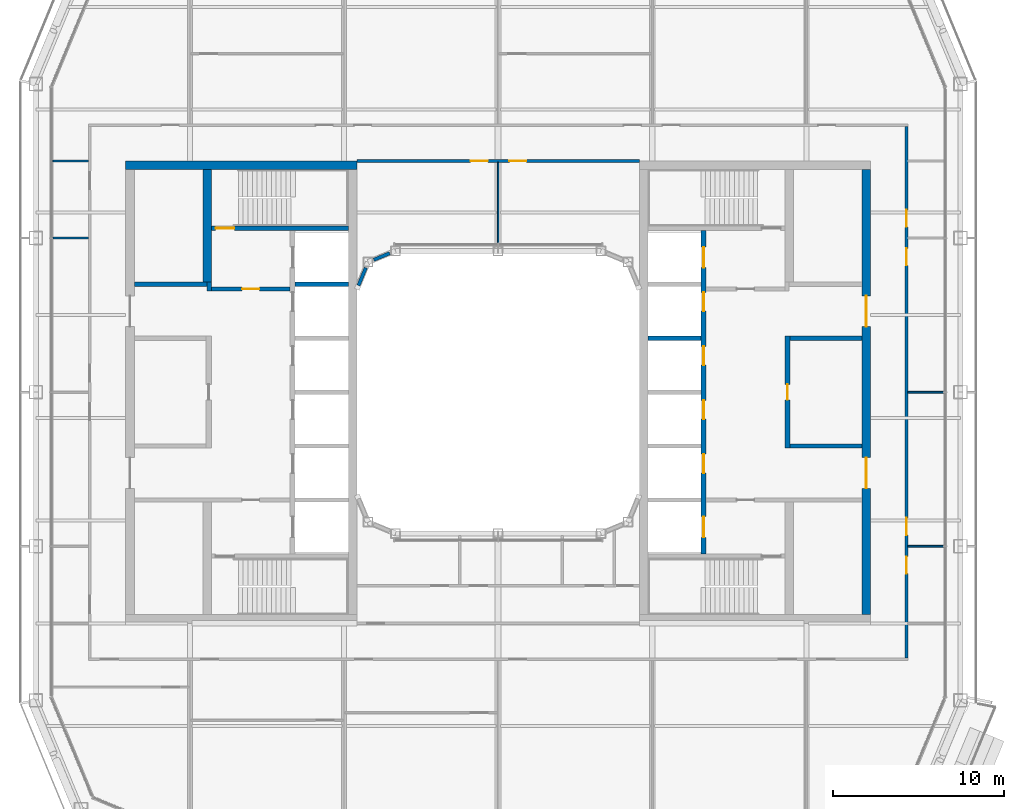
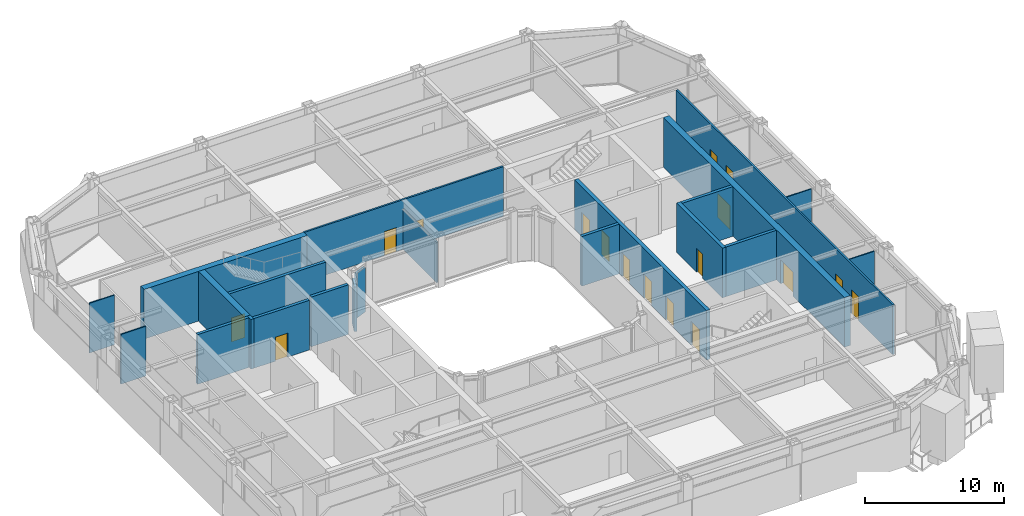
# One storey, part 14 of 23: 22 walls, 17 doors, 17 openings.
"""IFC4 building model written with IfcOpenShell, lengths in metres."""

import ifcopenshell
import ifcopenshell.guid

model = None  # the IFC model being written
_history = None  # IfcOwnerHistory: only IFC2X3 demands one
_inside = {}  # id of a spatial element -> (the spatial element, [elements in it])
_under = {}  # id of a project, library or spatial element -> (it, [spatial elements below it])
_declared = {}  # id of a project -> (the project, [libraries it declares])
_typed = {}  # id of a type object -> (the type object, [elements of that type])
_made_of = {}  # id of a material, layer set ... -> (it, [elements and type objects made of it])


def new_model(schema):
    """Start an empty IFC model of exactly this schema.

    Asked for "IFC4X3", IfcOpenShell would pick the latest addendum, in which some entities
    have other attributes; the version numbers below select the first issue.
    IFC2X3 requires an IfcOwnerHistory on every rooted entity: one is made here for all.
    """
    global model, _history
    if schema == "IFC4X3":
        model = ifcopenshell.file(schema_version=(4, 3, 0, 0))
    else:
        model = ifcopenshell.file(schema=schema)
    _inside.clear()
    _under.clear()
    _declared.clear()
    _typed.clear()
    _made_of.clear()
    _history = None
    if model.schema == "IFC2X3":
        org = make("IfcOrganization", Name="unknown")
        user = make(
            "IfcPersonAndOrganization",
            ThePerson=make("IfcPerson", FamilyName="unknown"),
            TheOrganization=org,
        )
        app = make(
            "IfcApplication",
            ApplicationDeveloper=org,
            Version="unknown",
            ApplicationFullName="unknown",
            ApplicationIdentifier="unknown",
        )
        _history = make(
            "IfcOwnerHistory",
            OwningUser=user,
            OwningApplication=app,
            ChangeAction="ADDED",
            CreationDate=0,
        )
    return model


def make(cls, **values):
    """One entity of the class cls with the attributes given. An attribute that is None is left unset."""
    return model.create_entity(
        cls, **{name: value for name, value in values.items() if value is not None}
    )


def rooted(cls, **values):
    """An entity with a GlobalId (a new one), such as an element, a storey or a relation."""
    return make(cls, GlobalId=ifcopenshell.guid.new(), OwnerHistory=_history, **values)


def si_unit(unit_type, name, prefix=None):
    """IfcSIUnit, for example si_unit("LENGTHUNIT", "METRE", prefix="MILLI")."""
    return make("IfcSIUnit", UnitType=unit_type, Prefix=prefix, Name=name)


def assignment(units):
    """IfcUnitAssignment: the units of a project."""
    return None if units is None else make("IfcUnitAssignment", Units=units)


def point(xyz):
    """IfcCartesianPoint."""
    return None if xyz is None else make("IfcCartesianPoint", Coordinates=xyz)


def direction(xyz):
    """IfcDirection."""
    return None if xyz is None else make("IfcDirection", DirectionRatios=xyz)


def frame(location, z_axis=None, x_axis=None):
    """IfcAxis2Placement3D, a coordinate frame: its origin and axes. An axis left out is left unset."""
    return make(
        "IfcAxis2Placement3D",
        Location=point(location),
        Axis=direction(z_axis),
        RefDirection=direction(x_axis),
    )


def frame_2d(location, x_axis=None):
    """IfcAxis2Placement2D, a coordinate frame in the plane: its origin and x axis."""
    return make(
        "IfcAxis2Placement2D", Location=point(location), RefDirection=direction(x_axis)
    )


def origin():
    """The frame at (0, 0, 0) with its axes left unset."""
    return frame((0.0, 0.0, 0.0))


def place(relative_to, where):
    """IfcLocalPlacement: puts the frame where relative to a parent placement (None: the world)."""
    return make(
        "IfcLocalPlacement", PlacementRelTo=relative_to, RelativePlacement=where
    )


def context(
    kind, dimensions, precision=None, world=None, true_north=None, identifier=None
):
    """IfcGeometricRepresentationContext, for example the 3D "Model" context."""
    return make(
        "IfcGeometricRepresentationContext",
        ContextIdentifier=identifier,
        ContextType=kind,
        CoordinateSpaceDimension=dimensions,
        Precision=precision,
        WorldCoordinateSystem=world,
        TrueNorth=true_north,
    )


def subcontext(parent, identifier, kind, view, scale=None):
    """IfcGeometricRepresentationSubContext, for example "Body" below "Model"."""
    return make(
        "IfcGeometricRepresentationSubContext",
        ContextIdentifier=identifier,
        ContextType=kind,
        ParentContext=parent,
        TargetScale=scale,
        TargetView=view,
    )


def project(units=None, contexts=None):
    """IfcProject with its units and contexts."""
    return rooted(
        "IfcProject",
        Name="project",
        RepresentationContexts=contexts,
        UnitsInContext=assignment(units),
    )


def spatial(cls, under=None, at=None, **own):
    """A site, building, storey or space (cls), placed at a placement, below another one or the project."""
    s = rooted(cls, ObjectPlacement=at, **own)
    if under is not None:
        _under.setdefault(under.id(), (under, []))[1].append(s)
    return s


def profile(cls, at=None, kind="AREA", **sizes):
    """A parametric profile (cls). Its sizes go by their IFC names, for example OverallWidth=200.0."""
    return make(cls, ProfileType=kind, Position=at, **sizes)


def rectangle(**sizes):
    """IfcRectangleProfileDef."""
    return profile("IfcRectangleProfileDef", **sizes)


def extrude(swept, where, along, depth):
    """IfcExtrudedAreaSolid: the profile swept, set in the frame where, extruded along a direction by depth."""
    return make(
        "IfcExtrudedAreaSolid",
        SweptArea=swept,
        Position=where,
        ExtrudedDirection=direction(along),
        Depth=depth,
    )


def shape(context_of_items, identifier, shape_type, items):
    """IfcShapeRepresentation: the items that make up one representation, for example the "Body"."""
    return make(
        "IfcShapeRepresentation",
        ContextOfItems=context_of_items,
        RepresentationIdentifier=identifier,
        RepresentationType=shape_type,
        Items=items,
    )


def material(Name=None, Category=None):
    """IfcMaterial."""
    return make("IfcMaterial", Name=Name, Category=Category)


def layer(
    of_material, thickness, ventilated=None, Name=None, Category=None, Priority=None
):
    """IfcMaterialLayer: one layer of a wall or slab, of a material (None: an air gap)."""
    return make(
        "IfcMaterialLayer",
        Material=of_material,
        LayerThickness=thickness,
        IsVentilated=ventilated,
        Name=Name,
        Category=Category,
        Priority=Priority,
    )


def layer_set(layers, Name=None):
    """IfcMaterialLayerSet."""
    return make("IfcMaterialLayerSet", MaterialLayers=layers, LayerSetName=Name)


def made_of(thing, what):
    """Note that an element or type object is made of a material, layer set ...; save() writes the relation."""
    if what is not None:
        _made_of.setdefault(what.id(), (what, []))[1].append(thing)
    return thing


def type_object(cls, material=None, **own):
    """A type object (cls), such as IfcWallType, which elements share."""
    return made_of(rooted(cls, **own), material)


def element(
    cls,
    number,
    at=None,
    inside=None,
    cuts=None,
    type_object=None,
    material=None,
    context=None,
    identifier="Body",
    shape_type=None,
    held_by="IfcProductDefinitionShape",
    body=None,
    shapes=None,
    **own,
):
    """One element of the class cls, such as IfcWall. Its Tag is "e" and its number.

    at: its placement. inside: the storey or other place that contains it. cuts: it is an
    opening in that element (IfcRelVoidsElement). A single representation is given by context,
    identifier, shape_type and body (its items); several are given by shapes. held_by: the class
    of the entity that holds the representations. save() writes the other relations.
    """
    e = rooted(cls, Tag="e%d" % number, ObjectPlacement=at, **own)
    if body is not None:
        shapes = [shape(context, identifier, shape_type, body)]
    if shapes is not None:
        e.Representation = make(held_by, Representations=shapes)
    if inside is not None:
        _inside.setdefault(inside.id(), (inside, []))[1].append(e)
    if cuts is not None:
        rooted(
            "IfcRelVoidsElement", RelatingBuildingElement=cuts, RelatedOpeningElement=e
        )
    if type_object is not None:
        _typed.setdefault(type_object.id(), (type_object, []))[1].append(e)
    return made_of(e, material)


def fill(opening, filler):
    """IfcRelFillsElement: the door or window that sits in an opening."""
    return rooted(
        "IfcRelFillsElement",
        RelatingOpeningElement=opening,
        RelatedBuildingElement=filler,
    )


def aggregate(whole, parts):
    """IfcRelAggregates: a whole, such as a stair, and the parts it consists of."""
    return rooted("IfcRelAggregates", RelatingObject=whole, RelatedObjects=parts)


def save(model, path):
    """Write the relations noted so far, then the file.

    IfcRelAggregates (storeys below a building ...), IfcRelContainedInSpatialStructure (elements
    in a storey), IfcRelDefinesByType, IfcRelAssociatesMaterial and IfcRelDeclares: one each for
    every whole, place, type object, material and project.
    """
    for whole, parts in _under.values():
        aggregate(whole, parts)
    for where, things in _inside.values():
        rooted(
            "IfcRelContainedInSpatialStructure",
            RelatedElements=things,
            RelatingStructure=where,
        )
    for kind, things in _typed.values():
        rooted("IfcRelDefinesByType", RelatedObjects=things, RelatingType=kind)
    for what, things in _made_of.values():
        rooted("IfcRelAssociatesMaterial", RelatedObjects=things, RelatingMaterial=what)
    for by, libraries in _declared.values():
        rooted("IfcRelDeclares", RelatingContext=by, RelatedDefinitions=libraries)
    model.write(path)


model = new_model("IFC4")

# Units and contexts
model_context = context("Model", 3, precision=1e-05, world=origin(), true_north=direction((0.0, 1.0)))
body_context = subcontext(model_context, "Body", "Model", "MODEL_VIEW")
ifc_project = project(units=[si_unit("LENGTHUNIT", "METRE"), si_unit("AREAUNIT", "SQUARE_METRE"), si_unit("VOLUMEUNIT", "CUBIC_METRE"), si_unit("PLANEANGLEUNIT", "RADIAN"), si_unit("MASSUNIT", "GRAM", prefix="KILO")], contexts=[model_context])

# Site, building, storey
site_placement = place(None, origin())
site = spatial("IfcSite", under=ifc_project, at=site_placement, CompositionType="ELEMENT")
building_placement = place(site_placement, origin())
building = spatial("IfcBuilding", under=site, at=building_placement, Name="Siwar Civic Tower", CompositionType="ELEMENT")
storey_placement = place(building_placement, frame((0.0, 0.0, 237.699951171875)))
storey = spatial("IfcBuildingStorey", under=building, at=storey_placement, Name="L51", CompositionType="ELEMENT", Elevation=237.699951171875)

# Wall, opening, door
ifc_material_1 = material(Name="Concrete C60/75", Category="concrete")
ifc_layer_1 = layer(ifc_material_1, 0.25)
ifc_layer_set_1 = layer_set([ifc_layer_1], Name="Concrete C60/75")
wall_type_1 = type_object("IfcWallType", Name="CORE-WALL-RC250", PredefinedType="SHEAR", material=ifc_layer_set_1)
wall_1_placement = place(storey_placement, frame((-12.14990234375, 6.02490234375, 0.0), z_axis=(0.0, 0.0, 1.0), x_axis=(-1.0, 0.0, 0.0)))
wall_1 = element("IfcWall", 1, at=wall_1_placement, inside=storey, type_object=wall_type_1, Name="Core wall W", PredefinedType="SHEAR", context=body_context, shape_type="SweptSolid", body=[
    extrude(rectangle(XDim=4.60009765625, YDim=0.25, at=frame_2d((2.300048828125, 0.0))), origin(), (0.0, 0.0, 1.0), 4.35009765625),
])
opening_1_placement = place(wall_1_placement, frame((1.800048828125, 0.0, 0.0)))
opening_1 = element("IfcOpeningElement", 2, at=opening_1_placement, cuts=wall_1, Name="Opening L51-CW01", PredefinedType="OPENING", context=body_context, shape_type="SweptSolid", body=[
    extrude(rectangle(XDim=1.0, YDim=2.10009765625, at=frame_2d((0.5, 1.050048828125))), frame((0.0, 0.135009765625, 0.0), z_axis=(0.0, -1.0, 0.0), x_axis=(1.0, 0.0, 0.0)), (0.0, 0.0, 1.0), 0.27001953125),
])
ifc_material_2 = material(Name="Steel door leaf", Category="steel")
door_type_1 = type_object("IfcDoorType", Name="CORE-DOOR-FD30S", OperationType="SINGLE_SWING_LEFT", PredefinedType="DOOR", material=ifc_material_2)
door_1_placement = place(opening_1_placement, origin())
door_1 = element("IfcDoor", 3, at=door_1_placement, inside=storey, type_object=door_type_1, Name="Firefighting lobby door L51-CW01", OperationType="SINGLE_SWING_LEFT", OverallHeight=2.10009765625, OverallWidth=1.0, PredefinedType="DOOR", context=body_context, shape_type="SweptSolid", body=[
    extrude(rectangle(XDim=1.0, YDim=2.10009765625, at=frame_2d((0.5, 1.050048828125))), frame((0.0, 0.02490234375, 0.0), z_axis=(0.0, -1.0, 0.0), x_axis=(1.0, 0.0, 0.0)), (0.0, 0.0, 1.0), 0.050048828125),
])
fill(opening_1, door_1)

# Walls
wall_2_placement = place(storey_placement, frame((-16.875, 5.89990234375, 0.0), z_axis=(0.0, 0.0, 1.0), x_axis=(0.0, 1.0, 0.0)))
element("IfcWall", 4, at=wall_2_placement, inside=storey, type_object=wall_type_1, Name="Core wall W", PredefinedType="SHEAR", context=body_context, shape_type="SweptSolid", body=[
    extrude(rectangle(XDim=0.525146484375, YDim=0.25, at=frame_2d((0.2626953125, 0.0))), origin(), (0.0, 0.0, 1.0), 4.35009765625),
])
wall_3_placement = place(storey_placement, frame((-17.0, 6.300048828125, 0.0), z_axis=(0.0, 0.0, 1.0), x_axis=(-1.0, 0.0, 0.0)))
element("IfcWall", 5, at=wall_3_placement, inside=storey, type_object=wall_type_1, Name="Core wall W", PredefinedType="SHEAR", context=body_context, shape_type="SweptSolid", body=[
    extrude(rectangle(XDim=4.25, YDim=0.25, at=frame_2d((2.125, 0.0))), origin(), (0.0, 0.0, 1.0), 4.35009765625),
])
wall_4_placement = place(storey_placement, frame((-8.75, 6.300048828125, 0.0), z_axis=(0.0, 0.0, 1.0), x_axis=(-1.0, 0.0, 0.0)))
element("IfcWall", 6, at=wall_4_placement, inside=storey, type_object=wall_type_1, Name="Core wall W", PredefinedType="SHEAR", context=body_context, shape_type="SweptSolid", body=[
    extrude(rectangle(XDim=3.10009765625, YDim=0.25, at=frame_2d((1.550048828125, 0.0))), origin(), (0.0, 0.0, 1.0), 4.35009765625),
])

# Wall, opening, door
wall_5_placement = place(storey_placement, frame((-8.75, 9.574951171875, 0.0), z_axis=(0.0, 0.0, 1.0), x_axis=(-1.0, 0.0, 0.0)))
wall_5 = element("IfcWall", 7, at=wall_5_placement, inside=storey, type_object=wall_type_1, Name="Core wall W", PredefinedType="SHEAR", context=body_context, shape_type="SweptSolid", body=[
    extrude(rectangle(XDim=8.0, YDim=0.25, at=frame_2d((4.0, 0.0))), origin(), (0.0, 0.0, 1.0), 4.35009765625),
])
opening_2_placement = place(wall_5_placement, frame((6.64990234375, 0.0, 0.0)))
opening_2 = element("IfcOpeningElement", 8, at=opening_2_placement, cuts=wall_5, Name="Opening L51-CW03", PredefinedType="OPENING", context=body_context, shape_type="SweptSolid", body=[
    extrude(rectangle(XDim=1.10009765625, YDim=2.10009765625, at=frame_2d((0.550048828125, 1.050048828125))), frame((0.0, 0.135009765625, 0.0), z_axis=(0.0, -1.0, 0.0), x_axis=(1.0, 0.0, 0.0)), (0.0, 0.0, 1.0), 0.27001953125),
])
ifc_material_3 = material(Name="Steel door leaf", Category="steel")
door_type_2 = type_object("IfcDoorType", Name="CORE-DOOR-FD60S", OperationType="SINGLE_SWING_LEFT", PredefinedType="DOOR", material=ifc_material_3)
door_2_placement = place(opening_2_placement, origin())
door_2 = element("IfcDoor", 9, at=door_2_placement, inside=storey, type_object=door_type_2, Name="Stair door L51-CW03", OperationType="SINGLE_SWING_RIGHT", OverallHeight=2.10009765625, OverallWidth=1.10009765625, PredefinedType="DOOR", context=body_context, shape_type="SweptSolid", body=[
    extrude(rectangle(XDim=1.10009765625, YDim=2.10009765625, at=frame_2d((0.550048828125, 1.050048828125))), frame((0.0, 0.02490234375, 0.0), z_axis=(0.0, -1.0, 0.0), x_axis=(1.0, 0.0, 0.0)), (0.0, 0.0, 1.0), 0.050048828125),
])
fill(opening_2, door_2)

# Walls
for number, where, z_axis, x_axis, name in (
    (10, (17.050048828125, 3.14990234375, 0.0), (0.0, 0.0, 1.0), (1.0, 0.0, 0.0), "Core wall E"),
    (11, (17.050048828125, -3.14990234375, 0.0), (0.0, 0.0, 1.0), (1.0, 0.0, 0.0), "Core wall E"),
):
    element("IfcWall", number, at=place(storey_placement, frame(where, z_axis=z_axis, x_axis=x_axis)), inside=storey, type_object=wall_type_1, Name=name, PredefinedType="SHEAR", context=body_context, shape_type="SweptSolid", body=[
        extrude(rectangle(XDim=4.199951171875, YDim=0.25, at=frame_2d((2.10009765625, 0.0))), origin(), (0.0, 0.0, 1.0), 4.35009765625),
    ])
wall_6_placement = place(storey_placement, frame((8.75, 3.14990234375, 0.0), z_axis=(0.0, 0.0, 1.0), x_axis=(1.0, 0.0, 0.0)))
element("IfcWall", 12, at=wall_6_placement, inside=storey, type_object=wall_type_1, Name="Core wall E", PredefinedType="SHEAR", context=body_context, shape_type="SweptSolid", body=[
    extrude(rectangle(XDim=3.10009765625, YDim=0.25, at=frame_2d((1.550048828125, 0.0))), origin(), (0.0, 0.0, 1.0), 4.35009765625),
])

# Wall, openings, doors
ifc_material_4 = material(Name="Concrete C60/75", Category="concrete")
ifc_layer_2 = layer(ifc_material_4, 0.300048828125)
ifc_layer_set_2 = layer_set([ifc_layer_2], Name="Concrete C60/75")
wall_type_2 = type_object("IfcWallType", Name="CORE-WALL-RC300", PredefinedType="SHEAR", material=ifc_layer_set_2)
wall_7_placement = place(storey_placement, frame((12.0, -9.449951171875, 0.0), z_axis=(0.0, 0.0, 1.0), x_axis=(0.0, 1.0, 0.0)))
wall_7 = element("IfcWall", 13, at=wall_7_placement, inside=storey, type_object=wall_type_2, Name="Core wall E", PredefinedType="SHEAR", context=body_context, shape_type="SweptSolid", body=[
    extrude(rectangle(XDim=18.89990234375, YDim=0.300048828125, at=frame_2d((9.449951171875, 0.0))), origin(), (0.0, 0.0, 1.0), 4.35009765625),
])
opening_3_placement = place(wall_7_placement, frame((4.72509765625, 0.0, 0.0)))
opening_3 = element("IfcOpeningElement", 14, at=opening_3_placement, cuts=wall_7, Name="Opening L51-CE07", PredefinedType="OPENING", context=body_context, shape_type="SweptSolid", body=[
    extrude(rectangle(XDim=1.10009765625, YDim=2.10009765625, at=frame_2d((0.550048828125, 1.050048828125))), frame((0.0, 0.16015625, 0.0), z_axis=(0.0, -1.0, 0.0), x_axis=(1.0, 0.0, 0.0)), (0.0, 0.0, 1.0), 0.320068359375),
])
opening_4_placement = place(wall_7_placement, frame((7.875, 0.0, 0.0)))
opening_4 = element("IfcOpeningElement", 15, at=opening_4_placement, cuts=wall_7, Name="Opening L51-CE08", PredefinedType="OPENING", context=body_context, shape_type="SweptSolid", body=[
    extrude(rectangle(XDim=1.10009765625, YDim=2.10009765625, at=frame_2d((0.550048828125, 1.050048828125))), frame((0.0, 0.16015625, 0.0), z_axis=(0.0, -1.0, 0.0), x_axis=(1.0, 0.0, 0.0)), (0.0, 0.0, 1.0), 0.320068359375),
])
opening_5_placement = place(wall_7_placement, frame((11.02490234375, 0.0, 0.0)))
opening_5 = element("IfcOpeningElement", 16, at=opening_5_placement, cuts=wall_7, Name="Opening L51-CE09", PredefinedType="OPENING", context=body_context, shape_type="SweptSolid", body=[
    extrude(rectangle(XDim=1.10009765625, YDim=2.10009765625, at=frame_2d((0.550048828125, 1.050048828125))), frame((0.0, 0.16015625, 0.0), z_axis=(0.0, -1.0, 0.0), x_axis=(1.0, 0.0, 0.0)), (0.0, 0.0, 1.0), 0.320068359375),
])
opening_6_placement = place(wall_7_placement, frame((14.175048828125, 0.0, 0.0)))
opening_6 = element("IfcOpeningElement", 17, at=opening_6_placement, cuts=wall_7, Name="Opening L51-CE10", PredefinedType="OPENING", context=body_context, shape_type="SweptSolid", body=[
    extrude(rectangle(XDim=1.10009765625, YDim=2.10009765625, at=frame_2d((0.550048828125, 1.050048828125))), frame((0.0, 0.16015625, 0.0), z_axis=(0.0, -1.0, 0.0), x_axis=(1.0, 0.0, 0.0)), (0.0, 0.0, 1.0), 0.320068359375),
])
opening_7_placement = place(wall_7_placement, frame((16.72509765625, 0.0, 0.0)))
opening_7 = element("IfcOpeningElement", 18, at=opening_7_placement, cuts=wall_7, Name="Opening L51-CE11", PredefinedType="OPENING", context=body_context, shape_type="SweptSolid", body=[
    extrude(rectangle(XDim=1.199951171875, YDim=2.10009765625, at=frame_2d((0.60009765625, 1.050048828125))), frame((0.0, 0.16015625, 0.0), z_axis=(0.0, -1.0, 0.0), x_axis=(1.0, 0.0, 0.0)), (0.0, 0.0, 1.0), 0.320068359375),
])
opening_8_placement = place(wall_7_placement, frame((0.97509765625, 0.0, 0.0)))
opening_8 = element("IfcOpeningElement", 19, at=opening_8_placement, cuts=wall_7, Name="Opening L51-CE12", PredefinedType="OPENING", context=body_context, shape_type="SweptSolid", body=[
    extrude(rectangle(XDim=1.199951171875, YDim=2.10009765625, at=frame_2d((0.60009765625, 1.050048828125))), frame((0.0, 0.16015625, 0.0), z_axis=(0.0, -1.0, 0.0), x_axis=(1.0, 0.0, 0.0)), (0.0, 0.0, 1.0), 0.320068359375),
])
ifc_material_5 = material(Name="Steel door leaf", Category="steel")
door_type_3 = type_object("IfcDoorType", Name="CORE-DOOR-LD", OperationType="DOUBLE_DOOR_SLIDING", PredefinedType="DOOR", material=ifc_material_5)
door_3_placement = place(opening_3_placement, origin())
door_3 = element("IfcDoor", 20, at=door_3_placement, inside=storey, type_object=door_type_3, Name="Landing door HR5 L51-CE07", OperationType="DOUBLE_DOOR_SLIDING", OverallHeight=2.10009765625, OverallWidth=1.10009765625, PredefinedType="DOOR", context=body_context, shape_type="SweptSolid", body=[
    extrude(rectangle(XDim=1.10009765625, YDim=2.10009765625, at=frame_2d((0.550048828125, 1.050048828125))), frame((0.0, 0.02490234375, 0.0), z_axis=(0.0, -1.0, 0.0), x_axis=(1.0, 0.0, 0.0)), (0.0, 0.0, 1.0), 0.050048828125),
])
fill(opening_3, door_3)
door_4_placement = place(opening_4_placement, origin())
door_4 = element("IfcDoor", 21, at=door_4_placement, inside=storey, type_object=door_type_3, Name="Landing door HR6 L51-CE08", OperationType="DOUBLE_DOOR_SLIDING", OverallHeight=2.10009765625, OverallWidth=1.10009765625, PredefinedType="DOOR", context=body_context, shape_type="SweptSolid", body=[
    extrude(rectangle(XDim=1.10009765625, YDim=2.10009765625, at=frame_2d((0.550048828125, 1.050048828125))), frame((0.0, 0.02490234375, 0.0), z_axis=(0.0, -1.0, 0.0), x_axis=(1.0, 0.0, 0.0)), (0.0, 0.0, 1.0), 0.050048828125),
])
fill(opening_4, door_4)
door_5_placement = place(opening_5_placement, origin())
door_5 = element("IfcDoor", 22, at=door_5_placement, inside=storey, type_object=door_type_3, Name="Landing door HR7 L51-CE09", OperationType="DOUBLE_DOOR_SLIDING", OverallHeight=2.10009765625, OverallWidth=1.10009765625, PredefinedType="DOOR", context=body_context, shape_type="SweptSolid", body=[
    extrude(rectangle(XDim=1.10009765625, YDim=2.10009765625, at=frame_2d((0.550048828125, 1.050048828125))), frame((0.0, 0.02490234375, 0.0), z_axis=(0.0, -1.0, 0.0), x_axis=(1.0, 0.0, 0.0)), (0.0, 0.0, 1.0), 0.050048828125),
])
fill(opening_5, door_5)
door_6_placement = place(opening_6_placement, origin())
door_6 = element("IfcDoor", 23, at=door_6_placement, inside=storey, type_object=door_type_3, Name="Landing door HR8 L51-CE10", OperationType="DOUBLE_DOOR_SLIDING", OverallHeight=2.10009765625, OverallWidth=1.10009765625, PredefinedType="DOOR", context=body_context, shape_type="SweptSolid", body=[
    extrude(rectangle(XDim=1.10009765625, YDim=2.10009765625, at=frame_2d((0.550048828125, 1.050048828125))), frame((0.0, 0.02490234375, 0.0), z_axis=(0.0, -1.0, 0.0), x_axis=(1.0, 0.0, 0.0)), (0.0, 0.0, 1.0), 0.050048828125),
])
fill(opening_6, door_6)
ifc_material_6 = material(Name="Steel door leaf", Category="steel")
door_type_4 = type_object("IfcDoorType", Name="CORE-DOOR-LDW", OperationType="DOUBLE_DOOR_SLIDING", PredefinedType="DOOR", material=ifc_material_6)
door_7_placement = place(opening_7_placement, origin())
door_7 = element("IfcDoor", 24, at=door_7_placement, inside=storey, type_object=door_type_4, Name="Landing door FF2 L51-CE11", OperationType="DOUBLE_DOOR_SLIDING", OverallHeight=2.10009765625, OverallWidth=1.199951171875, PredefinedType="DOOR", context=body_context, shape_type="SweptSolid", body=[
    extrude(rectangle(XDim=1.199951171875, YDim=2.10009765625, at=frame_2d((0.60009765625, 1.050048828125))), frame((0.0, 0.02490234375, 0.0), z_axis=(0.0, -1.0, 0.0), x_axis=(1.0, 0.0, 0.0)), (0.0, 0.0, 1.0), 0.050048828125),
])
fill(opening_7, door_7)
door_8_placement = place(opening_8_placement, origin())
door_8 = element("IfcDoor", 25, at=door_8_placement, inside=storey, type_object=door_type_4, Name="Landing door SV2 L51-CE12", OperationType="DOUBLE_DOOR_SLIDING", OverallHeight=2.10009765625, OverallWidth=1.199951171875, PredefinedType="DOOR", context=body_context, shape_type="SweptSolid", body=[
    extrude(rectangle(XDim=1.199951171875, YDim=2.10009765625, at=frame_2d((0.60009765625, 1.050048828125))), frame((0.0, 0.02490234375, 0.0), z_axis=(0.0, -1.0, 0.0), x_axis=(1.0, 0.0, 0.0)), (0.0, 0.0, 1.0), 0.050048828125),
])
fill(opening_8, door_8)

# Wall, opening, door
wall_8_placement = place(storey_placement, frame((16.89990234375, -3.27490234375, 0.0), z_axis=(0.0, 0.0, 1.0), x_axis=(0.0, 1.0, 0.0)))
wall_8 = element("IfcWall", 26, at=wall_8_placement, inside=storey, type_object=wall_type_2, Name="Core wall E", PredefinedType="SHEAR", context=body_context, shape_type="SweptSolid", body=[
    extrude(rectangle(XDim=6.5498046875, YDim=0.300048828125, at=frame_2d((3.27490234375, 0.0))), origin(), (0.0, 0.0, 1.0), 4.35009765625),
])
opening_9_placement = place(wall_8_placement, frame((2.824951171875, 0.0, 0.0)))
opening_9 = element("IfcOpeningElement", 27, at=opening_9_placement, cuts=wall_8, Name="Opening L51-CE13", PredefinedType="OPENING", context=body_context, shape_type="SweptSolid", body=[
    extrude(rectangle(XDim=0.89990234375, YDim=2.10009765625, at=frame_2d((0.449951171875, 1.050048828125))), frame((0.0, 0.16015625, 0.0), z_axis=(0.0, -1.0, 0.0), x_axis=(1.0, 0.0, 0.0)), (0.0, 0.0, 1.0), 0.320068359375),
])
ifc_material_7 = material(Name="Steel door leaf", Category="steel")
door_type_5 = type_object("IfcDoorType", Name="CORE-DOOR-ROOM", OperationType="SINGLE_SWING_LEFT", PredefinedType="DOOR", material=ifc_material_7)
door_9_placement = place(opening_9_placement, origin())
door_9 = element("IfcDoor", 28, at=door_9_placement, inside=storey, type_object=door_type_5, Name="Core room door L51-CE13", OperationType="SINGLE_SWING_LEFT", OverallHeight=2.10009765625, OverallWidth=0.89990234375, PredefinedType="DOOR", context=body_context, shape_type="SweptSolid", body=[
    extrude(rectangle(XDim=0.89990234375, YDim=2.10009765625, at=frame_2d((0.449951171875, 1.050048828125))), frame((0.0, 0.02490234375, 0.0), z_axis=(0.0, -1.0, 0.0), x_axis=(1.0, 0.0, 0.0)), (0.0, 0.0, 1.0), 0.050048828125),
])
fill(opening_9, door_9)

# Walls
ifc_material_8 = material(Name="Concrete C60/75", Category="concrete")
ifc_layer_3 = layer(ifc_material_8, 0.5)
ifc_layer_set_3 = layer_set([ifc_layer_3], Name="Concrete C60/75")
wall_type_3 = type_object("IfcWallType", Name="CORE-WALL-RC500", PredefinedType="SHEAR", material=ifc_layer_set_3)
wall_9_placement = place(storey_placement, frame((-17.0, 6.425048828125, 0.0), z_axis=(0.0, 0.0, 1.0), x_axis=(0.0, 1.0, 0.0)))
element("IfcWall", 29, at=wall_9_placement, inside=storey, type_object=wall_type_3, Name="Core wall W", PredefinedType="SHEAR", context=body_context, shape_type="SweptSolid", body=[
    extrude(rectangle(XDim=6.574951171875, YDim=0.5, at=frame_2d((3.28759765625, 0.0))), origin(), (0.0, 0.0, 1.0), 4.35009765625),
])
wall_10_placement = place(storey_placement, frame((-8.25, 13.25, 0.0), z_axis=(0.0, 0.0, 1.0), x_axis=(-1.0, 0.0, 0.0)))
element("IfcWall", 30, at=wall_10_placement, inside=storey, type_object=wall_type_3, Name="Core wall W", PredefinedType="SHEAR", context=body_context, shape_type="SweptSolid", body=[
    extrude(rectangle(XDim=13.5, YDim=0.5, at=frame_2d((6.75, 0.0))), origin(), (0.0, 0.0, 1.0), 4.35009765625),
])

# Wall, openings, doors
wall_11_placement = place(storey_placement, frame((21.5, -13.0, 0.0), z_axis=(0.0, 0.0, 1.0), x_axis=(0.0, 1.0, 0.0)))
wall_11 = element("IfcWall", 31, at=wall_11_placement, inside=storey, type_object=wall_type_3, Name="Core wall E", PredefinedType="SHEAR", context=body_context, shape_type="SweptSolid", body=[
    extrude(rectangle(XDim=26.0, YDim=0.5, at=frame_2d((13.0, 0.0))), origin(), (0.0, 0.0, 1.0), 4.35009765625),
])
opening_10_placement = place(wall_11_placement, frame((16.824951171875, 0.0, 0.0)))
opening_10 = element("IfcOpeningElement", 32, at=opening_10_placement, cuts=wall_11, Name="Opening L51-CE05", PredefinedType="OPENING", context=body_context, shape_type="SweptSolid", body=[
    extrude(rectangle(XDim=1.800048828125, YDim=2.10009765625, at=frame_2d((0.89990234375, 1.050048828125))), frame((0.0, 0.260009765625, 0.0), z_axis=(0.0, -1.0, 0.0), x_axis=(1.0, 0.0, 0.0)), (0.0, 0.0, 1.0), 0.52001953125),
])
opening_11_placement = place(wall_11_placement, frame((7.375, 0.0, 0.0)))
opening_11 = element("IfcOpeningElement", 33, at=opening_11_placement, cuts=wall_11, Name="Opening L51-CE06", PredefinedType="OPENING", context=body_context, shape_type="SweptSolid", body=[
    extrude(rectangle(XDim=1.800048828125, YDim=2.10009765625, at=frame_2d((0.89990234375, 1.050048828125))), frame((0.0, 0.260009765625, 0.0), z_axis=(0.0, -1.0, 0.0), x_axis=(1.0, 0.0, 0.0)), (0.0, 0.0, 1.0), 0.52001953125),
])
ifc_material_9 = material(Name="Steel door leaf", Category="steel")
door_type_6 = type_object("IfcDoorType", Name="CORE-DOOR-PORT", OperationType="DOUBLE_DOOR_DOUBLE_SWING", PredefinedType="DOOR", material=ifc_material_9)
door_10_placement = place(opening_10_placement, origin())
door_10 = element("IfcDoor", 34, at=door_10_placement, inside=storey, type_object=door_type_6, Name="Core entrance door L51-CE05", OperationType="DOUBLE_DOOR_DOUBLE_SWING", OverallHeight=2.10009765625, OverallWidth=1.800048828125, PredefinedType="DOOR", context=body_context, shape_type="SweptSolid", body=[
    extrude(rectangle(XDim=1.800048828125, YDim=2.10009765625, at=frame_2d((0.89990234375, 1.050048828125))), frame((0.0, 0.02490234375, 0.0), z_axis=(0.0, -1.0, 0.0), x_axis=(1.0, 0.0, 0.0)), (0.0, 0.0, 1.0), 0.050048828125),
])
fill(opening_10, door_10)
door_11_placement = place(opening_11_placement, origin())
door_11 = element("IfcDoor", 35, at=door_11_placement, inside=storey, type_object=door_type_6, Name="Core entrance door L51-CE06", OperationType="DOUBLE_DOOR_DOUBLE_SWING", OverallHeight=2.10009765625, OverallWidth=1.800048828125, PredefinedType="DOOR", context=body_context, shape_type="SweptSolid", body=[
    extrude(rectangle(XDim=1.800048828125, YDim=2.10009765625, at=frame_2d((0.89990234375, 1.050048828125))), frame((0.0, 0.02490234375, 0.0), z_axis=(0.0, -1.0, 0.0), x_axis=(1.0, 0.0, 0.0)), (0.0, 0.0, 1.0), 0.050048828125),
])
fill(opening_11, door_11)

ifc_material_10 = material(Name="Gypsum board on steel studs", Category="steel")
ifc_layer_4 = layer(ifc_material_10, 0.14990234375)
ifc_layer_set_4 = layer_set([ifc_layer_4], Name="Gypsum board on steel studs")
wall_type_4 = type_object("IfcWallType", Name="CORRIDOR PARTITION 150 EI 30", PredefinedType="PARTITIONING", material=ifc_layer_set_4)
wall_12_placement = place(storey_placement, frame((-8.25, 13.5, 0.0), z_axis=(0.0, 0.0, 1.0), x_axis=(1.0, 0.0, 0.0)))
wall_12 = element("IfcWall", 36, at=wall_12_placement, inside=storey, type_object=wall_type_4, Name="L51/wall/P18", PredefinedType="PARTITIONING", context=body_context, shape_type="SweptSolid", body=[
    extrude(rectangle(XDim=16.5, YDim=0.14990234375, at=frame_2d((8.25, 0.0))), origin(), (0.0, 0.0, 1.0), 4.35009765625),
])
opening_12_placement = place(wall_12_placement, frame((6.64990234375, 0.0, 0.0)))
opening_12 = element("IfcOpeningElement", 37, at=opening_12_placement, cuts=wall_12, Name="Opening D1", PredefinedType="OPENING", context=body_context, shape_type="SweptSolid", body=[
    extrude(rectangle(XDim=1.0, YDim=2.10009765625, at=frame_2d((0.5, 1.050048828125))), frame((0.0, 0.0849609375, 0.0), z_axis=(0.0, -1.0, 0.0), x_axis=(1.0, 0.0, 0.0)), (0.0, 0.0, 1.0), 0.169921875),
])
opening_13_placement = place(wall_12_placement, frame((8.89990234375, 0.0, 0.0)))
opening_13 = element("IfcOpeningElement", 38, at=opening_13_placement, cuts=wall_12, Name="Opening D1", PredefinedType="OPENING", context=body_context, shape_type="SweptSolid", body=[
    extrude(rectangle(XDim=1.0, YDim=2.10009765625, at=frame_2d((0.5, 1.050048828125))), frame((0.0, 0.0849609375, 0.0), z_axis=(0.0, -1.0, 0.0), x_axis=(1.0, 0.0, 0.0)), (0.0, 0.0, 1.0), 0.169921875),
])
ifc_material_11 = material(Name="Timber, painted", Category="wood")
door_type_7 = type_object("IfcDoorType", Name="DOOR 1000 X 2100 FD30", OperationType="SINGLE_SWING_LEFT", PredefinedType="DOOR", material=ifc_material_11)
door_12_placement = place(opening_12_placement, origin())
door_12 = element("IfcDoor", 39, at=door_12_placement, inside=storey, type_object=door_type_7, Name="L51-D28", OperationType="SINGLE_SWING_RIGHT", OverallHeight=2.10009765625, OverallWidth=1.0, PredefinedType="DOOR", context=body_context, shape_type="SweptSolid", body=[
    extrude(rectangle(XDim=1.0, YDim=2.10009765625, at=frame_2d((0.5, 1.050048828125))), frame((0.0, 0.02490234375, 0.0), z_axis=(0.0, -1.0, 0.0), x_axis=(1.0, 0.0, 0.0)), (0.0, 0.0, 1.0), 0.050048828125),
])
fill(opening_12, door_12)
door_13_placement = place(opening_13_placement, origin())
door_13 = element("IfcDoor", 40, at=door_13_placement, inside=storey, type_object=door_type_7, Name="L51-D29", OperationType="SINGLE_SWING_LEFT", OverallHeight=2.10009765625, OverallWidth=1.0, PredefinedType="DOOR", context=body_context, shape_type="SweptSolid", body=[
    extrude(rectangle(XDim=1.0, YDim=2.10009765625, at=frame_2d((0.5, 1.050048828125))), frame((0.0, 0.02490234375, 0.0), z_axis=(0.0, -1.0, 0.0), x_axis=(1.0, 0.0, 0.0)), (0.0, 0.0, 1.0), 0.050048828125),
])
fill(opening_13, door_13)

wall_13_placement = place(storey_placement, frame((23.85009765625, -15.52490234375, 0.0), z_axis=(0.0, 0.0, 1.0), x_axis=(0.0, 1.0, 0.0)))
wall_13 = element("IfcWall", 41, at=wall_13_placement, inside=storey, type_object=wall_type_4, Name="L51/wall/P39", PredefinedType="PARTITIONING", context=body_context, shape_type="SweptSolid", body=[
    extrude(rectangle(XDim=31.0498046875, YDim=0.14990234375, at=frame_2d((15.52490234375, 0.0))), origin(), (0.0, 0.0, 1.0), 4.35009765625),
])
opening_14_placement = place(wall_13_placement, frame((4.925048828125, 0.0, 0.0)))
opening_14 = element("IfcOpeningElement", 42, at=opening_14_placement, cuts=wall_13, Name="Opening D1", PredefinedType="OPENING", context=body_context, shape_type="SweptSolid", body=[
    extrude(rectangle(XDim=1.0, YDim=2.10009765625, at=frame_2d((0.5, 1.050048828125))), frame((0.0, 0.0849609375, 0.0), z_axis=(0.0, -1.0, 0.0), x_axis=(1.0, 0.0, 0.0)), (0.0, 0.0, 1.0), 0.169921875),
])
opening_15_placement = place(wall_13_placement, frame((7.175048828125, 0.0, 0.0)))
opening_15 = element("IfcOpeningElement", 43, at=opening_15_placement, cuts=wall_13, Name="Opening D1", PredefinedType="OPENING", context=body_context, shape_type="SweptSolid", body=[
    extrude(rectangle(XDim=1.0, YDim=2.10009765625, at=frame_2d((0.5, 1.050048828125))), frame((0.0, 0.0849609375, 0.0), z_axis=(0.0, -1.0, 0.0), x_axis=(1.0, 0.0, 0.0)), (0.0, 0.0, 1.0), 0.169921875),
])
opening_16_placement = place(wall_13_placement, frame((22.925048828125, 0.0, 0.0)))
opening_16 = element("IfcOpeningElement", 44, at=opening_16_placement, cuts=wall_13, Name="Opening D1", PredefinedType="OPENING", context=body_context, shape_type="SweptSolid", body=[
    extrude(rectangle(XDim=1.0, YDim=2.10009765625, at=frame_2d((0.5, 1.050048828125))), frame((0.0, 0.0849609375, 0.0), z_axis=(0.0, -1.0, 0.0), x_axis=(1.0, 0.0, 0.0)), (0.0, 0.0, 1.0), 0.169921875),
])
opening_17_placement = place(wall_13_placement, frame((25.175048828125, 0.0, 0.0)))
opening_17 = element("IfcOpeningElement", 45, at=opening_17_placement, cuts=wall_13, Name="Opening D1", PredefinedType="OPENING", context=body_context, shape_type="SweptSolid", body=[
    extrude(rectangle(XDim=1.0, YDim=2.10009765625, at=frame_2d((0.5, 1.050048828125))), frame((0.0, 0.0849609375, 0.0), z_axis=(0.0, -1.0, 0.0), x_axis=(1.0, 0.0, 0.0)), (0.0, 0.0, 1.0), 0.169921875),
])
door_14_placement = place(opening_14_placement, origin())
door_14 = element("IfcDoor", 46, at=door_14_placement, inside=storey, type_object=door_type_7, Name="L51-D24", OperationType="SINGLE_SWING_RIGHT", OverallHeight=2.10009765625, OverallWidth=1.0, PredefinedType="DOOR", context=body_context, shape_type="SweptSolid", body=[
    extrude(rectangle(XDim=1.0, YDim=2.10009765625, at=frame_2d((0.5, 1.050048828125))), frame((0.0, 0.02490234375, 0.0), z_axis=(0.0, -1.0, 0.0), x_axis=(1.0, 0.0, 0.0)), (0.0, 0.0, 1.0), 0.050048828125),
])
fill(opening_14, door_14)
door_15_placement = place(opening_15_placement, origin())
door_15 = element("IfcDoor", 47, at=door_15_placement, inside=storey, type_object=door_type_7, Name="L51-D25", OperationType="SINGLE_SWING_LEFT", OverallHeight=2.10009765625, OverallWidth=1.0, PredefinedType="DOOR", context=body_context, shape_type="SweptSolid", body=[
    extrude(rectangle(XDim=1.0, YDim=2.10009765625, at=frame_2d((0.5, 1.050048828125))), frame((0.0, 0.02490234375, 0.0), z_axis=(0.0, -1.0, 0.0), x_axis=(1.0, 0.0, 0.0)), (0.0, 0.0, 1.0), 0.050048828125),
])
fill(opening_15, door_15)
door_16_placement = place(opening_16_placement, origin())
door_16 = element("IfcDoor", 48, at=door_16_placement, inside=storey, type_object=door_type_7, Name="L51-D26", OperationType="SINGLE_SWING_RIGHT", OverallHeight=2.10009765625, OverallWidth=1.0, PredefinedType="DOOR", context=body_context, shape_type="SweptSolid", body=[
    extrude(rectangle(XDim=1.0, YDim=2.10009765625, at=frame_2d((0.5, 1.050048828125))), frame((0.0, 0.02490234375, 0.0), z_axis=(0.0, -1.0, 0.0), x_axis=(1.0, 0.0, 0.0)), (0.0, 0.0, 1.0), 0.050048828125),
])
fill(opening_16, door_16)
door_17_placement = place(opening_17_placement, origin())
door_17 = element("IfcDoor", 49, at=door_17_placement, inside=storey, type_object=door_type_7, Name="L51-D27", OperationType="SINGLE_SWING_LEFT", OverallHeight=2.10009765625, OverallWidth=1.0, PredefinedType="DOOR", context=body_context, shape_type="SweptSolid", body=[
    extrude(rectangle(XDim=1.0, YDim=2.10009765625, at=frame_2d((0.5, 1.050048828125))), frame((0.0, 0.02490234375, 0.0), z_axis=(0.0, -1.0, 0.0), x_axis=(1.0, 0.0, 0.0)), (0.0, 0.0, 1.0), 0.050048828125),
])
fill(opening_17, door_17)

# Walls
ifc_material_12 = material(Name="Aluminium clad insulated panel", Category="aluminium")
ifc_layer_5 = layer(ifc_material_12, 0.199951171875)
ifc_layer_set_5 = layer_set([ifc_layer_5], Name="Aluminium clad insulated panel")
wall_type_5 = type_object("IfcWallType", Name="ENV-WALL-WELL", PredefinedType="STANDARD", material=ifc_layer_set_5)
wall_14_placement = place(storey_placement, frame((-6.33203125, 8.112548828125, 0.0), z_axis=(0.0, 0.0, 1.0), x_axis=(-0.923859650767, -0.382731427616, 0.0)))
element("IfcWall", 50, at=wall_14_placement, inside=storey, type_object=wall_type_5, Name="Light well corner wall NW1", PredefinedType="STANDARD", context=body_context, shape_type="SweptSolid", body=[
    extrude(rectangle(XDim=1.00341796875, YDim=0.199951171875, at=frame_2d((0.501708984375, 0.0))), origin(), (0.0, 0.0, 1.0), 3.91796875),
])
wall_15_placement = place(storey_placement, frame((-7.728515625, 7.259033203125, 0.0), z_axis=(0.0, 0.0, 1.0), x_axis=(-0.382635994082, -0.923899180665, 0.0)))
element("IfcWall", 51, at=wall_15_placement, inside=storey, type_object=wall_type_5, Name="Light well corner wall NW2", PredefinedType="STANDARD", context=body_context, shape_type="SweptSolid", body=[
    extrude(rectangle(XDim=1.11279296875, YDim=0.199951171875, at=frame_2d((0.556396484375, 0.0))), origin(), (0.0, 0.0, 1.0), 3.91796875),
])
ifc_material_13 = material(Name="Gypsum board on steel studs", Category="steel")
ifc_layer_6 = layer(ifc_material_13, 0.10009765625)
ifc_layer_set_6 = layer_set([ifc_layer_6], Name="Gypsum board on steel studs")
wall_type_6 = type_object("IfcWallType", Name="PARTITION 100 GYPSUM", PredefinedType="PARTITIONING", material=ifc_layer_set_6)
for number, where, z_axis, x_axis, name in (
    (52, (23.925048828125, -9.0, 0.0), (0.0, 0.0, 1.0), (1.0, 0.0, 0.0), "L51/wall/P11"),
    (53, (23.925048828125, 0.0, 0.0), (0.0, 0.0, 1.0), (1.0, 0.0, 0.0), "L51/wall/P13"),
    (54, (-26.010009765625, 9.0, 0.0), (0.0, 0.0, 1.0), (1.0, 0.0, 0.0), "L51/wall/P14"),
    (55, (-26.010009765625, 13.5, 0.0), (0.0, 0.0, 1.0), (1.0, 0.0, 0.0), "L51/wall/P16"),
):
    element("IfcWall", number, at=place(storey_placement, frame(where, z_axis=z_axis, x_axis=x_axis)), inside=storey, type_object=wall_type_6, Name=name, PredefinedType="PARTITIONING", context=body_context, shape_type="SweptSolid", body=[
        extrude(rectangle(XDim=2.0849609375, YDim=0.10009765625, at=frame_2d((1.04248046875, 0.0))), origin(), (0.0, 0.0, 1.0), 4.35009765625),
    ])
wall_16_placement = place(storey_placement, frame((0.0, 8.60009765625, 0.0), z_axis=(0.0, 0.0, 1.0), x_axis=(0.0, 1.0, 0.0)))
element("IfcWall", 56, at=wall_16_placement, inside=storey, type_object=wall_type_6, Name="L51/wall/P31", PredefinedType="PARTITIONING", context=body_context, shape_type="SweptSolid", body=[
    extrude(rectangle(XDim=4.824951171875, YDim=0.10009765625, at=frame_2d((2.41259765625, 0.0))), origin(), (0.0, 0.0, 1.0), 3.550048828125),
])

save(model, "model.ifc")
